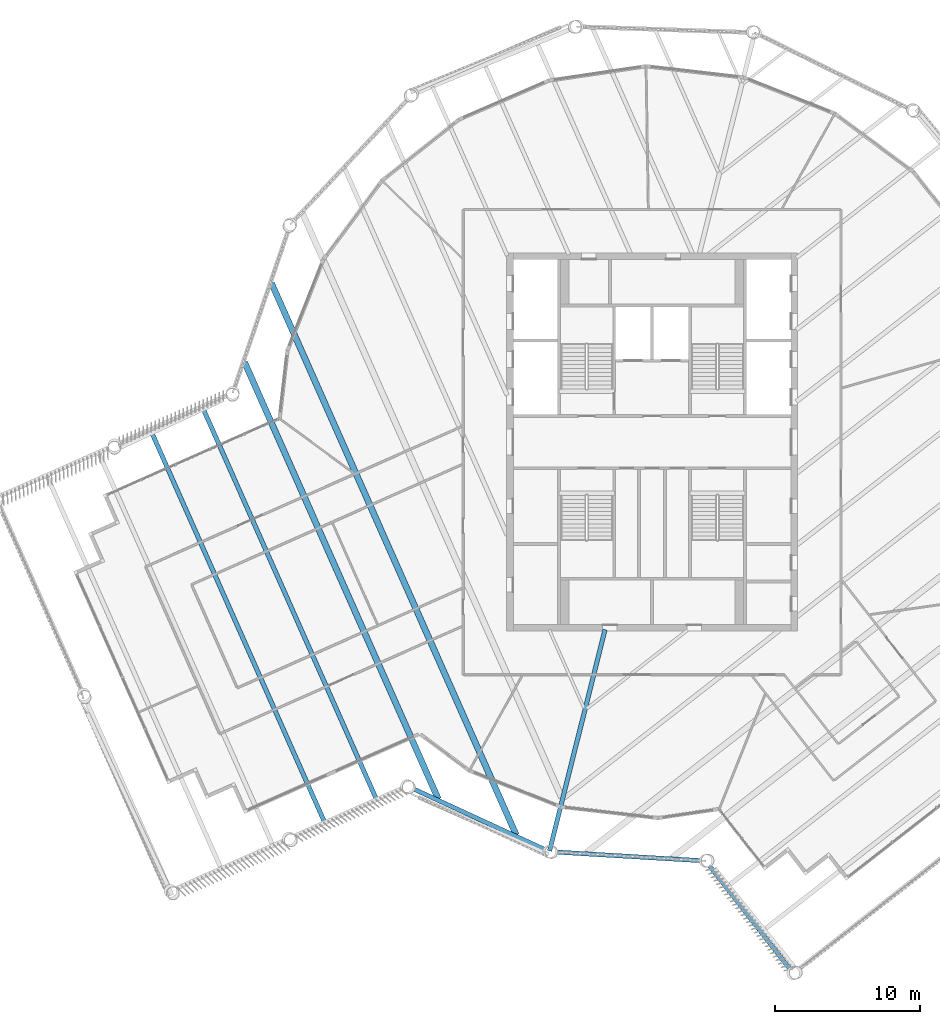
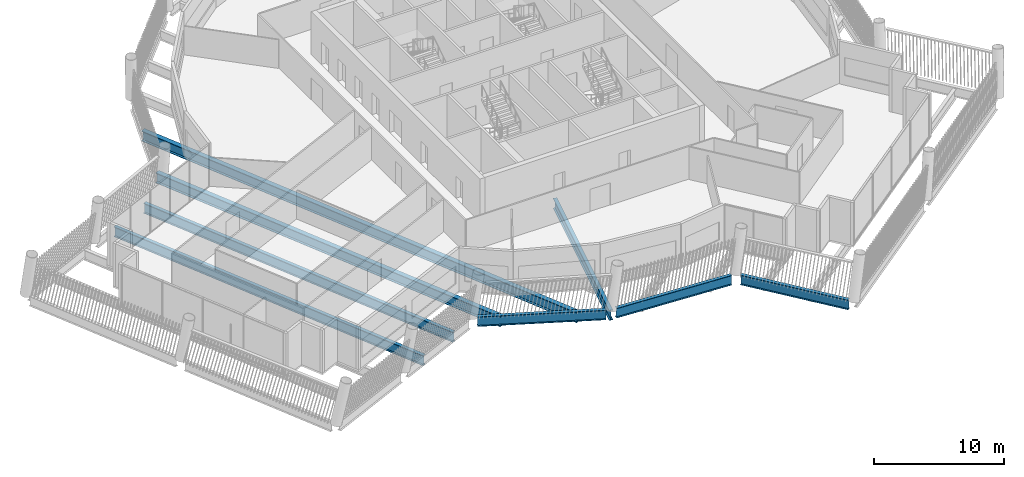
# One storey, part 7 of 28: 8 beams.
"""IFC4 building model written with IfcOpenShell, lengths in metres."""

import ifcopenshell
import ifcopenshell.guid

model = None  # the IFC model being written
_history = None  # IfcOwnerHistory: only IFC2X3 demands one
_inside = {}  # id of a spatial element -> (the spatial element, [elements in it])
_under = {}  # id of a project, library or spatial element -> (it, [spatial elements below it])
_declared = {}  # id of a project -> (the project, [libraries it declares])
_typed = {}  # id of a type object -> (the type object, [elements of that type])
_made_of = {}  # id of a material, layer set ... -> (it, [elements and type objects made of it])


def new_model(schema):
    """Start an empty IFC model of exactly this schema.

    Asked for "IFC4X3", IfcOpenShell would pick the latest addendum, in which some entities
    have other attributes; the version numbers below select the first issue.
    IFC2X3 requires an IfcOwnerHistory on every rooted entity: one is made here for all.
    """
    global model, _history
    if schema == "IFC4X3":
        model = ifcopenshell.file(schema_version=(4, 3, 0, 0))
    else:
        model = ifcopenshell.file(schema=schema)
    _inside.clear()
    _under.clear()
    _declared.clear()
    _typed.clear()
    _made_of.clear()
    _history = None
    if model.schema == "IFC2X3":
        org = make("IfcOrganization", Name="unknown")
        user = make(
            "IfcPersonAndOrganization",
            ThePerson=make("IfcPerson", FamilyName="unknown"),
            TheOrganization=org,
        )
        app = make(
            "IfcApplication",
            ApplicationDeveloper=org,
            Version="unknown",
            ApplicationFullName="unknown",
            ApplicationIdentifier="unknown",
        )
        _history = make(
            "IfcOwnerHistory",
            OwningUser=user,
            OwningApplication=app,
            ChangeAction="ADDED",
            CreationDate=0,
        )
    return model


def make(cls, **values):
    """One entity of the class cls with the attributes given. An attribute that is None is left unset."""
    return model.create_entity(
        cls, **{name: value for name, value in values.items() if value is not None}
    )


def rooted(cls, **values):
    """An entity with a GlobalId (a new one), such as an element, a storey or a relation."""
    return make(cls, GlobalId=ifcopenshell.guid.new(), OwnerHistory=_history, **values)


def si_unit(unit_type, name, prefix=None):
    """IfcSIUnit, for example si_unit("LENGTHUNIT", "METRE", prefix="MILLI")."""
    return make("IfcSIUnit", UnitType=unit_type, Prefix=prefix, Name=name)


def assignment(units):
    """IfcUnitAssignment: the units of a project."""
    return None if units is None else make("IfcUnitAssignment", Units=units)


def point(xyz):
    """IfcCartesianPoint."""
    return None if xyz is None else make("IfcCartesianPoint", Coordinates=xyz)


def direction(xyz):
    """IfcDirection."""
    return None if xyz is None else make("IfcDirection", DirectionRatios=xyz)


def frame(location, z_axis=None, x_axis=None):
    """IfcAxis2Placement3D, a coordinate frame: its origin and axes. An axis left out is left unset."""
    return make(
        "IfcAxis2Placement3D",
        Location=point(location),
        Axis=direction(z_axis),
        RefDirection=direction(x_axis),
    )


def frame_2d(location, x_axis=None):
    """IfcAxis2Placement2D, a coordinate frame in the plane: its origin and x axis."""
    return make(
        "IfcAxis2Placement2D", Location=point(location), RefDirection=direction(x_axis)
    )


def origin():
    """The frame at (0, 0, 0) with its axes left unset."""
    return frame((0.0, 0.0, 0.0))


def origin_2d():
    """The frame at (0, 0) in the plane with its x axis left unset."""
    return frame_2d((0.0, 0.0))


def place(relative_to, where):
    """IfcLocalPlacement: puts the frame where relative to a parent placement (None: the world)."""
    return make(
        "IfcLocalPlacement", PlacementRelTo=relative_to, RelativePlacement=where
    )


def context(
    kind, dimensions, precision=None, world=None, true_north=None, identifier=None
):
    """IfcGeometricRepresentationContext, for example the 3D "Model" context."""
    return make(
        "IfcGeometricRepresentationContext",
        ContextIdentifier=identifier,
        ContextType=kind,
        CoordinateSpaceDimension=dimensions,
        Precision=precision,
        WorldCoordinateSystem=world,
        TrueNorth=true_north,
    )


def subcontext(parent, identifier, kind, view, scale=None):
    """IfcGeometricRepresentationSubContext, for example "Body" below "Model"."""
    return make(
        "IfcGeometricRepresentationSubContext",
        ContextIdentifier=identifier,
        ContextType=kind,
        ParentContext=parent,
        TargetScale=scale,
        TargetView=view,
    )


def project(units=None, contexts=None):
    """IfcProject with its units and contexts."""
    return rooted(
        "IfcProject",
        Name="project",
        RepresentationContexts=contexts,
        UnitsInContext=assignment(units),
    )


def spatial(cls, under=None, at=None, **own):
    """A site, building, storey or space (cls), placed at a placement, below another one or the project."""
    s = rooted(cls, ObjectPlacement=at, **own)
    if under is not None:
        _under.setdefault(under.id(), (under, []))[1].append(s)
    return s


def profile(cls, at=None, kind="AREA", **sizes):
    """A parametric profile (cls). Its sizes go by their IFC names, for example OverallWidth=200.0."""
    return make(cls, ProfileType=kind, Position=at, **sizes)


def i_section(**sizes):
    """IfcIShapeProfileDef."""
    return profile("IfcIShapeProfileDef", **sizes)


def extrude(swept, where, along, depth):
    """IfcExtrudedAreaSolid: the profile swept, set in the frame where, extruded along a direction by depth."""
    return make(
        "IfcExtrudedAreaSolid",
        SweptArea=swept,
        Position=where,
        ExtrudedDirection=direction(along),
        Depth=depth,
    )


def shape(context_of_items, identifier, shape_type, items):
    """IfcShapeRepresentation: the items that make up one representation, for example the "Body"."""
    return make(
        "IfcShapeRepresentation",
        ContextOfItems=context_of_items,
        RepresentationIdentifier=identifier,
        RepresentationType=shape_type,
        Items=items,
    )


def material(Name=None, Category=None):
    """IfcMaterial."""
    return make("IfcMaterial", Name=Name, Category=Category)


def material_profile(
    of_material, cross_section, Name=None, Category=None, Priority=None
):
    """IfcMaterialProfile: a cross section and its material."""
    return make(
        "IfcMaterialProfile",
        Name=Name,
        Material=of_material,
        Profile=cross_section,
        Priority=Priority,
        Category=Category,
    )


def profile_set(profiles, Name=None, composite=None):
    """IfcMaterialProfileSet."""
    return make(
        "IfcMaterialProfileSet",
        Name=Name,
        MaterialProfiles=profiles,
        CompositeProfile=composite,
    )


def made_of(thing, what):
    """Note that an element or type object is made of a material, layer set ...; save() writes the relation."""
    if what is not None:
        _made_of.setdefault(what.id(), (what, []))[1].append(thing)
    return thing


def type_object(cls, material=None, **own):
    """A type object (cls), such as IfcWallType, which elements share."""
    return made_of(rooted(cls, **own), material)


def element(
    cls,
    number,
    at=None,
    inside=None,
    cuts=None,
    type_object=None,
    material=None,
    context=None,
    identifier="Body",
    shape_type=None,
    held_by="IfcProductDefinitionShape",
    body=None,
    shapes=None,
    **own,
):
    """One element of the class cls, such as IfcWall. Its Tag is "e" and its number.

    at: its placement. inside: the storey or other place that contains it. cuts: it is an
    opening in that element (IfcRelVoidsElement). A single representation is given by context,
    identifier, shape_type and body (its items); several are given by shapes. held_by: the class
    of the entity that holds the representations. save() writes the other relations.
    """
    e = rooted(cls, Tag="e%d" % number, ObjectPlacement=at, **own)
    if body is not None:
        shapes = [shape(context, identifier, shape_type, body)]
    if shapes is not None:
        e.Representation = make(held_by, Representations=shapes)
    if inside is not None:
        _inside.setdefault(inside.id(), (inside, []))[1].append(e)
    if cuts is not None:
        rooted(
            "IfcRelVoidsElement", RelatingBuildingElement=cuts, RelatedOpeningElement=e
        )
    if type_object is not None:
        _typed.setdefault(type_object.id(), (type_object, []))[1].append(e)
    return made_of(e, material)


def aggregate(whole, parts):
    """IfcRelAggregates: a whole, such as a stair, and the parts it consists of."""
    return rooted("IfcRelAggregates", RelatingObject=whole, RelatedObjects=parts)


def save(model, path):
    """Write the relations noted so far, then the file.

    IfcRelAggregates (storeys below a building ...), IfcRelContainedInSpatialStructure (elements
    in a storey), IfcRelDefinesByType, IfcRelAssociatesMaterial and IfcRelDeclares: one each for
    every whole, place, type object, material and project.
    """
    for whole, parts in _under.values():
        aggregate(whole, parts)
    for where, things in _inside.values():
        rooted(
            "IfcRelContainedInSpatialStructure",
            RelatedElements=things,
            RelatingStructure=where,
        )
    for kind, things in _typed.values():
        rooted("IfcRelDefinesByType", RelatedObjects=things, RelatingType=kind)
    for what, things in _made_of.values():
        rooted("IfcRelAssociatesMaterial", RelatedObjects=things, RelatingMaterial=what)
    for by, libraries in _declared.values():
        rooted("IfcRelDeclares", RelatingContext=by, RelatedDefinitions=libraries)
    model.write(path)


model = new_model("IFC4")

# Units and contexts
model_context = context("Model", 3, precision=1e-05, world=origin(), true_north=direction((0.0, 1.0)))
body_context = subcontext(model_context, "Body", "Model", "MODEL_VIEW")
ifc_project = project(units=[si_unit("LENGTHUNIT", "METRE"), si_unit("AREAUNIT", "SQUARE_METRE"), si_unit("VOLUMEUNIT", "CUBIC_METRE"), si_unit("PLANEANGLEUNIT", "RADIAN"), si_unit("MASSUNIT", "GRAM", prefix="KILO")], contexts=[model_context])

# Site, building, storey
site_placement = place(None, origin())
site = spatial("IfcSite", under=ifc_project, at=site_placement, CompositionType="ELEMENT")
building_placement = place(site_placement, origin())
building = spatial("IfcBuilding", under=site, at=building_placement, Name="Tarsis Ring Headquarters", CompositionType="ELEMENT")
storey_placement = place(building_placement, frame((0.0, 0.0, 381.800048828125)))
storey = spatial("IfcBuildingStorey", under=building, at=storey_placement, Name="L90", CompositionType="ELEMENT", Elevation=381.800048828125)

# Beams
ifc_material = material(Name="Structural steel S355", Category="steel")
ifc_material_profile_1 = material_profile(ifc_material, i_section(OverallWidth=0.309814453125, OverallDepth=0.949951171875, WebThickness=0.0244140625, FlangeThickness=0.0439453125, at=origin_2d()), Name="W36x256")
ifc_profile_set_1 = profile_set([ifc_material_profile_1], Name="Structural steel S355")
beam_type_1 = type_object("IfcBeamType", Name="FB Floor beam W36x256", PredefinedType="JOIST", material=ifc_profile_set_1)
for number, where, z_axis, x_axis, name in (
    (1, (-30.934814453125, 2.411865234375, -0.635009765625), (0.405463286373, -0.914111329874, 0.0), (0.914111329874, 0.405463286373, 0.0), "Floor beam FB11"),
    (2, (-34.5, 0.83056640625, -0.635009765625), (0.405463286373, -0.914111329874, 0.0), (0.914111329874, 0.405463286373, 0.0), "Floor beam FB11"),
):
    element("IfcBeam", number, at=place(storey_placement, frame(where, z_axis=z_axis, x_axis=x_axis)), inside=storey, type_object=beam_type_1, Name=name, PredefinedType="JOIST", context=body_context, shape_type="SweptSolid", body=[
        extrude(i_section(OverallWidth=0.309814453125, OverallDepth=0.949951171875, WebThickness=0.0244140625, FlangeThickness=0.0439453125, at=origin_2d()), origin(), (0.0, 0.0, 1.0), 29.4951171875),
    ])
beam_type_2 = type_object("IfcBeamType", Name="FB Floor beam W36x256 spine", PredefinedType="BEAM", material=ifc_profile_set_1)
beam_1_placement = place(storey_placement, frame((-3.236328125, -12.903076171875, -0.635009765625), z_axis=(-0.243275095481, -0.96995733304, 0.0), x_axis=(0.96995733304, -0.243275095481, 0.0)))
element("IfcBeam", 3, at=beam_1_placement, inside=storey, type_object=beam_type_2, Name="Floor beam SB11", PredefinedType="BEAM", context=body_context, shape_type="SweptSolid", body=[
    extrude(i_section(OverallWidth=0.309814453125, OverallDepth=0.949951171875, WebThickness=0.0244140625, FlangeThickness=0.0439453125, at=origin_2d()), origin(), (0.0, 0.0, 1.0), 15.690673828125),
])
ifc_material_profile_2 = material_profile(ifc_material, i_section(OverallWidth=0.42431640625, OverallDepth=0.947509765625, WebThickness=0.02392578125, FlangeThickness=0.042724609375, at=origin_2d()), Name="W36x302")
ifc_profile_set_2 = profile_set([ifc_material_profile_2], Name="Structural steel S355")
beam_type_3 = type_object("IfcBeamType", Name="FB Floor beam W36x302", PredefinedType="JOIST", material=ifc_profile_set_2)
beam_2_placement = place(storey_placement, frame((-26.181884765625, 10.933349609375, -0.6337890625), z_axis=(0.405460937634, -0.914112371677, 0.0), x_axis=(0.914112371677, 0.405460937634, 0.0)))
element("IfcBeam", 4, at=beam_2_placement, inside=storey, type_object=beam_type_3, Name="Floor beam FB12", PredefinedType="JOIST", context=body_context, shape_type="SweptSolid", body=[
    extrude(i_section(OverallWidth=0.42431640625, OverallDepth=0.947509765625, WebThickness=0.02392578125, FlangeThickness=0.042724609375, at=origin_2d()), origin(), (0.0, 0.0, 1.0), 41.531494140625),
])
beam_3_placement = place(storey_placement, frame((-28.039306640625, 5.50244140625, -0.6337890625), z_axis=(0.405459815276, -0.914112869506, 0.0), x_axis=(0.914112869506, 0.405459815276, 0.0)))
element("IfcBeam", 5, at=beam_3_placement, inside=storey, type_object=beam_type_3, Name="Floor beam FB12", PredefinedType="JOIST", context=body_context, shape_type="SweptSolid", body=[
    extrude(i_section(OverallWidth=0.42431640625, OverallDepth=0.947509765625, WebThickness=0.02392578125, FlangeThickness=0.042724609375, at=origin_2d()), origin(), (0.0, 0.0, 1.0), 32.883056640625),
])
ifc_material_profile_3 = material_profile(ifc_material, i_section(OverallWidth=0.3046875, OverallDepth=0.91943359375, WebThickness=0.017333984375, FlangeThickness=0.02783203125, at=origin_2d()), Name="W36x170")
ifc_profile_set_3 = profile_set([ifc_material_profile_3], Name="Structural steel S355")
beam_type_4 = type_object("IfcBeamType", Name="XG Ring girder W36x170", PredefinedType="BEAM", material=ifc_profile_set_3)
beam_4_placement = place(storey_placement, frame((-6.656005859375, -28.2001953125, -0.459716796875), z_axis=(0.998245226126, -0.059215441532, 0.0), x_axis=(0.059215441532, 0.998245226126, 0.0)))
element("IfcBeam", 6, at=beam_4_placement, inside=storey, type_object=beam_type_4, Name="Ring girder XG4", PredefinedType="BEAM", context=body_context, shape_type="SweptSolid", body=[
    extrude(i_section(OverallWidth=0.3046875, OverallDepth=0.91943359375, WebThickness=0.017333984375, FlangeThickness=0.02783203125, at=origin_2d()), origin(), (0.0, 0.0, 1.0), 9.94873046875),
])
beam_5_placement = place(storey_placement, frame((3.93896484375, -29.138427734375, -0.459716796875), z_axis=(0.614552045508, -0.788876278869, 0.0), x_axis=(0.788876278869, 0.614552045508, 0.0)))
element("IfcBeam", 7, at=beam_5_placement, inside=storey, type_object=beam_type_4, Name="Ring girder XG4", PredefinedType="BEAM", context=body_context, shape_type="SweptSolid", body=[
    extrude(i_section(OverallWidth=0.3046875, OverallDepth=0.91943359375, WebThickness=0.017333984375, FlangeThickness=0.02783203125, at=origin_2d()), origin(), (0.0, 0.0, 1.0), 8.9814453125),
])
beam_6_placement = place(storey_placement, frame((-16.474365234375, -23.8359375, -0.459716796875), z_axis=(0.908036937862, -0.418890104297, 0.0), x_axis=(0.418890104297, 0.908036937862, 0.0)))
element("IfcBeam", 8, at=beam_6_placement, inside=storey, type_object=beam_type_4, Name="Ring girder XG4", PredefinedType="BEAM", context=body_context, shape_type="SweptSolid", body=[
    extrude(i_section(OverallWidth=0.3046875, OverallDepth=0.91943359375, WebThickness=0.017333984375, FlangeThickness=0.02783203125, at=origin_2d()), origin(), (0.0, 0.0, 1.0), 9.948974609375),
])

save(model, "model.ifc")
